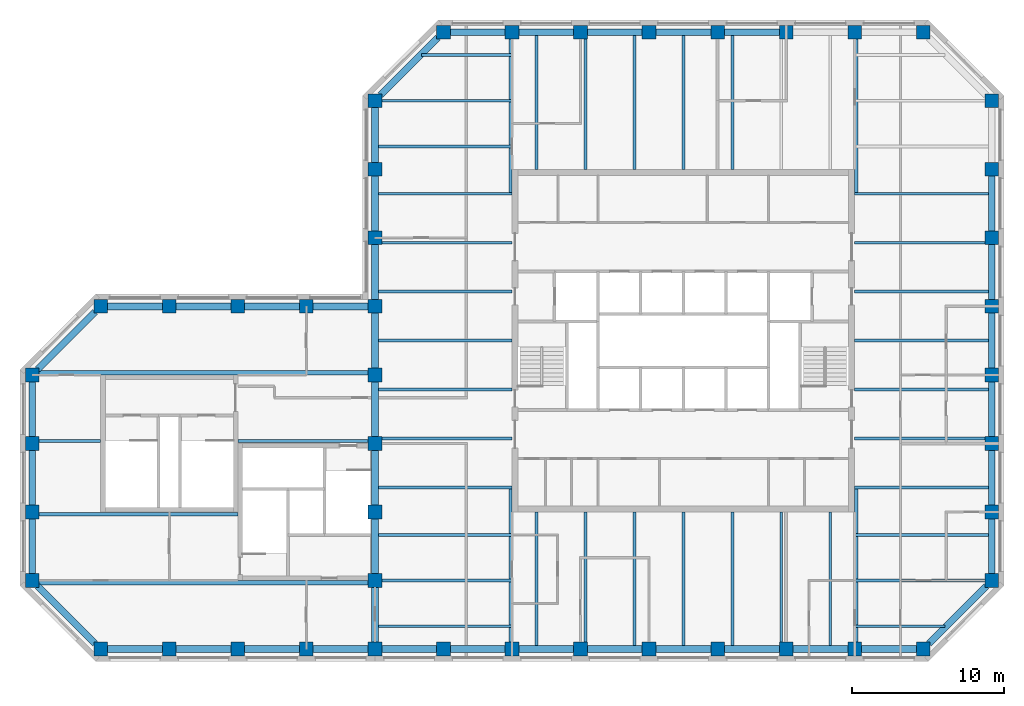
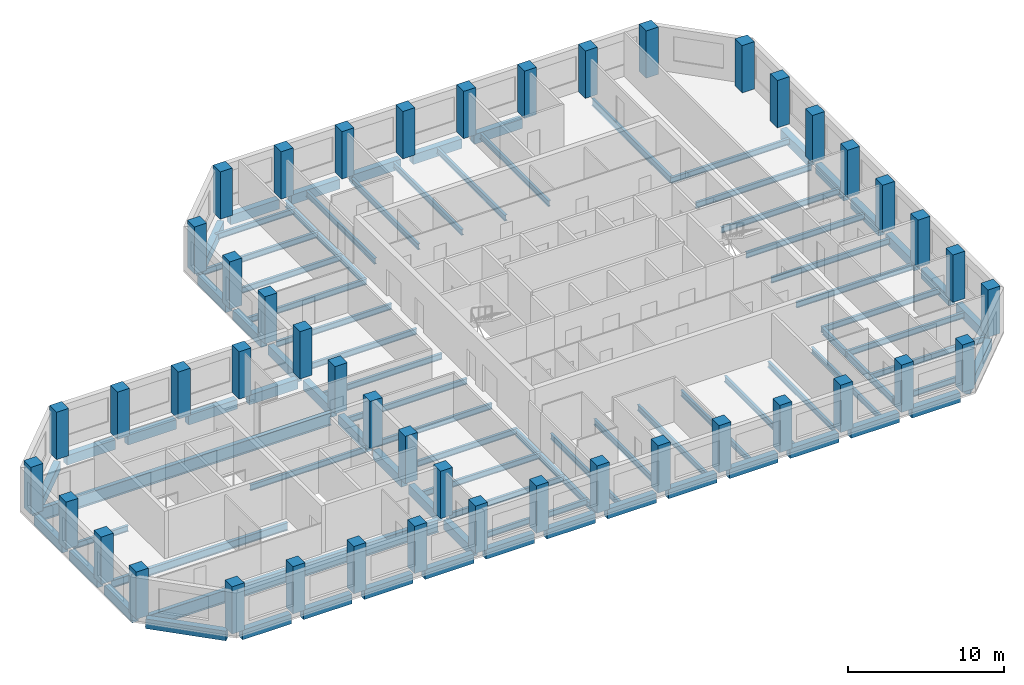
# One storey, part 1 of 9: 86 beams, 45 columns.
"""IFC4 building model written with IfcOpenShell, lengths in metres."""

from ifc_helpers import new_model, si_unit, direction, frame, origin, origin_2d, place, context, subcontext, project, spatial, rectangle, i_section, extrude, material, material_profile, profile_set, type_object, element, save


model = new_model("IFC4")

# Units and contexts
model_context = context("Model", 3, precision=1e-05, world=origin(), true_north=direction((0.0, 1.0)))
body_context = subcontext(model_context, "Body", "Model", "MODEL_VIEW")
ifc_project = project(units=[si_unit("LENGTHUNIT", "METRE"), si_unit("AREAUNIT", "SQUARE_METRE"), si_unit("VOLUMEUNIT", "CUBIC_METRE"), si_unit("PLANEANGLEUNIT", "RADIAN"), si_unit("MASSUNIT", "GRAM", prefix="KILO")], contexts=[model_context])

# Site, building, storey
site_placement = place(None, origin())
site = spatial("IfcSite", under=ifc_project, at=site_placement, CompositionType="ELEMENT")
building_placement = place(site_placement, origin())
building = spatial("IfcBuilding", under=site, at=building_placement, Name="Quoin Convention Tower", CompositionType="ELEMENT")
storey_placement = place(building_placement, frame((0.0, 0.0, 260.0)))
storey = spatial("IfcBuildingStorey", under=building, at=storey_placement, Name="L68", CompositionType="ELEMENT", Elevation=260.0)

# Columns
ifc_material_1 = material(Name="Concrete C50", Category="concrete")
ifc_material_profile_1 = material_profile(ifc_material_1, rectangle(XDim=0.89990234375, YDim=0.89990234375, at=origin_2d()), Name="RC 900x900")
ifc_profile_set_1 = profile_set([ifc_material_profile_1], Name="Concrete C50")
column_type = type_object("IfcColumnType", Name="RC 900x900 C50", PredefinedType="COLUMN", material=ifc_profile_set_1)
for number, where, z_axis, x_axis, name in (
    (1, (18.0, 40.5, 0.0), (0.0, 0.0, 1.0), (1.0, 0.0, 0.0), "col-L68-18000_40500"),
    (2, (22.5, 40.5, 0.0), (0.0, 0.0, 1.0), (1.0, 0.0, 0.0), "col-L68-22500_40500"),
    (3, (27.0, 40.5, 0.0), (0.0, 0.0, 1.0), (1.0, 0.0, 0.0), "col-L68-27000_40500"),
    (4, (31.5, 40.5, 0.0), (0.0, 0.0, 1.0), (1.0, 0.0, 0.0), "col-L68-31500_40500"),
    (5, (36.0, 40.5, 0.0), (0.0, 0.0, 1.0), (1.0, 0.0, 0.0), "col-L68-36000_40500"),
    (6, (40.5, 40.5, 0.0), (0.0, 0.0, 1.0), (1.0, 0.0, 0.0), "col-L68-40500_40500"),
    (7, (45.0, 40.5, 0.0), (0.0, 0.0, 1.0), (1.0, 0.0, 0.0), "col-L68-45000_40500"),
    (8, (49.5, 40.5, 0.0), (0.0, 0.0, 1.0), (1.0, 0.0, 0.0), "col-L68-49500_40500"),
    (9, (54.0, 40.5, 0.0), (0.0, 0.0, 1.0), (1.0, 0.0, 0.0), "col-L68-54000_40500"),
    (10, (58.5, 40.5, 0.0), (0.0, 0.0, 1.0), (1.0, 0.0, 0.0), "col-L68-58500_40500"),
    (11, (63.0, 40.5, 0.0), (0.0, 0.0, 1.0), (1.0, 0.0, 0.0), "col-L68-63000_40500"),
    (12, (67.5, 40.5, 0.0), (0.0, 0.0, 1.0), (1.0, 0.0, 0.0), "col-L68-67500_40500"),
    (13, (72.0, 40.5, 0.0), (0.0, 0.0, 1.0), (1.0, 0.0, 0.0), "col-L68-72000_40500"),
    (14, (13.5, 45.0, 0.0), (0.0, 0.0, 1.0), (1.0, 0.0, 0.0), "col-L68-13500_45000"),
    (15, (36.0, 45.0, 0.0), (0.0, 0.0, 1.0), (1.0, 0.0, 0.0), "web-L68-36000_45000"),
    (16, (76.5, 45.0, 0.0), (0.0, 0.0, 1.0), (1.0, 0.0, 0.0), "col-L68-76500_45000"),
    (17, (13.5, 49.5, 0.0), (0.0, 0.0, 1.0), (1.0, 0.0, 0.0), "col-L68-13500_49500"),
    (18, (36.0, 49.5, 0.0), (0.0, 0.0, 1.0), (1.0, 0.0, 0.0), "web-L68-36000_49500"),
    (19, (76.5, 49.5, 0.0), (0.0, 0.0, 1.0), (1.0, 0.0, 0.0), "col-L68-76500_49500"),
    (20, (13.5, 54.0, 0.0), (0.0, 0.0, 1.0), (1.0, 0.0, 0.0), "col-L68-13500_54000"),
    (21, (36.0, 54.0, 0.0), (0.0, 0.0, 1.0), (1.0, 0.0, 0.0), "web-L68-36000_54000"),
    (22, (76.5, 54.0, 0.0), (0.0, 0.0, 1.0), (1.0, 0.0, 0.0), "col-L68-76500_54000"),
    (23, (13.5, 58.5, 0.0), (0.0, 0.0, 1.0), (1.0, 0.0, 0.0), "col-L68-13500_58500"),
    (24, (36.0, 58.5, 0.0), (0.0, 0.0, 1.0), (1.0, 0.0, 0.0), "web-L68-36000_58500"),
    (25, (76.5, 58.5, 0.0), (0.0, 0.0, 1.0), (1.0, 0.0, 0.0), "col-L68-76500_58500"),
    (26, (18.0, 63.0, 0.0), (0.0, 0.0, 1.0), (1.0, 0.0, 0.0), "col-L68-18000_63000"),
    (27, (22.5, 63.0, 0.0), (0.0, 0.0, 1.0), (1.0, 0.0, 0.0), "col-L68-22500_63000"),
    (28, (27.0, 63.0, 0.0), (0.0, 0.0, 1.0), (1.0, 0.0, 0.0), "col-L68-27000_63000"),
    (29, (31.5, 63.0, 0.0), (0.0, 0.0, 1.0), (1.0, 0.0, 0.0), "col-L68-31500_63000"),
    (30, (36.0, 63.0, 0.0), (0.0, 0.0, 1.0), (1.0, 0.0, 0.0), "col-L68-36000_63000"),
    (31, (76.5, 63.0, 0.0), (0.0, 0.0, 1.0), (1.0, 0.0, 0.0), "col-L68-76500_63000"),
    (32, (36.0, 67.5, 0.0), (0.0, 0.0, 1.0), (1.0, 0.0, 0.0), "col-L68-36000_67500"),
    (33, (76.5, 67.5, 0.0), (0.0, 0.0, 1.0), (1.0, 0.0, 0.0), "col-L68-76500_67500"),
    (34, (36.0, 72.0, 0.0), (0.0, 0.0, 1.0), (1.0, 0.0, 0.0), "col-L68-36000_72000"),
    (35, (76.5, 72.0, 0.0), (0.0, 0.0, 1.0), (1.0, 0.0, 0.0), "col-L68-76500_72000"),
    (36, (36.0, 76.5, 0.0), (0.0, 0.0, 1.0), (1.0, 0.0, 0.0), "col-L68-36000_76500"),
    (37, (76.5, 76.5, 0.0), (0.0, 0.0, 1.0), (1.0, 0.0, 0.0), "col-L68-76500_76500"),
    (38, (40.5, 81.0, 0.0), (0.0, 0.0, 1.0), (1.0, 0.0, 0.0), "col-L68-40500_81000"),
    (39, (45.0, 81.0, 0.0), (0.0, 0.0, 1.0), (1.0, 0.0, 0.0), "col-L68-45000_81000"),
    (40, (49.5, 81.0, 0.0), (0.0, 0.0, 1.0), (1.0, 0.0, 0.0), "col-L68-49500_81000"),
    (41, (54.0, 81.0, 0.0), (0.0, 0.0, 1.0), (1.0, 0.0, 0.0), "col-L68-54000_81000"),
    (42, (58.5, 81.0, 0.0), (0.0, 0.0, 1.0), (1.0, 0.0, 0.0), "col-L68-58500_81000"),
    (43, (63.0, 81.0, 0.0), (0.0, 0.0, 1.0), (1.0, 0.0, 0.0), "col-L68-63000_81000"),
    (44, (67.5, 81.0, 0.0), (0.0, 0.0, 1.0), (1.0, 0.0, 0.0), "col-L68-67500_81000"),
    (45, (72.0, 81.0, 0.0), (0.0, 0.0, 1.0), (1.0, 0.0, 0.0), "col-L68-72000_81000"),
):
    element("IfcColumn", number, at=place(storey_placement, frame(where, z_axis=z_axis, x_axis=x_axis)), inside=storey, type_object=column_type, Name=name, PredefinedType="COLUMN", context=body_context, shape_type="SweptSolid", body=[
        extrude(rectangle(XDim=0.89990234375, YDim=0.89990234375, at=origin_2d()), origin(), (0.0, 0.0, 1.0), 3.699951171875),
    ])

# Beams
ifc_material_2 = material(Name="Steel Grade 300", Category="steel")
ifc_material_profile_2 = material_profile(ifc_material_2, i_section(OverallWidth=0.300048828125, OverallDepth=1.0, WebThickness=0.01611328125, FlangeThickness=0.02001953125, at=origin_2d()), Name="1000WB215")
ifc_profile_set_2 = profile_set([ifc_material_profile_2], Name="Steel Grade 300")
beam_type_1 = type_object("IfcBeamType", Name="1000WB215", PredefinedType="BEAM", material=ifc_profile_set_2)
for number, where, z_axis, x_axis, name in (
    (46, (13.949951171875, 44.85009765625, -0.64990234375), (1.0, 0.0, 0.0), (0.0, 1.0, 0.0), "gir-L68-ST2-1-0"),
    (47, (13.949951171875, 58.64990234375, -0.64990234375), (1.0, 0.0, 0.0), (0.0, 1.0, 0.0), "gir-L68-ST2-4-0"),
):
    element("IfcBeam", number, at=place(storey_placement, frame(where, z_axis=z_axis, x_axis=x_axis)), inside=storey, type_object=beam_type_1, Name=name, PredefinedType="BEAM", context=body_context, shape_type="SweptSolid", body=[
        extrude(i_section(OverallWidth=0.300048828125, OverallDepth=1.0, WebThickness=0.01611328125, FlangeThickness=0.02001953125, at=origin_2d()), origin(), (0.0, 0.0, 1.0), 21.60009765625),
    ])
ifc_material_profile_3 = material_profile(ifc_material_2, i_section(OverallWidth=0.18994140625, OverallDepth=0.4541015625, WebThickness=0.008544921875, FlangeThickness=0.0126953125, FilletRadius=0.011474609375, at=origin_2d()), Name="460UB67.1")
ifc_profile_set_3 = profile_set([ifc_material_profile_3], Name="Steel Grade 300")
beam_type_2 = type_object("IfcBeamType", Name="460UB67.1", PredefinedType="BEAM", material=ifc_profile_set_3)
beam_1_placement = place(storey_placement, frame((36.22509765625, 51.107177734375, -0.376953125), z_axis=(1.0, 0.0, 0.0), x_axis=(0.0, 1.0, 0.0)))
element("IfcBeam", 48, at=beam_1_placement, inside=storey, type_object=beam_type_2, Name="bm-L68-T1W0", PredefinedType="BEAM", context=body_context, shape_type="SweptSolid", body=[
    extrude(i_section(OverallWidth=0.18994140625, OverallDepth=0.4541015625, WebThickness=0.008544921875, FlangeThickness=0.0126953125, FilletRadius=0.011474609375, at=origin_2d()), origin(), (0.0, 0.0, 1.0), 8.77490234375),
])
beam_2_placement = place(storey_placement, frame((36.449951171875, 54.3212890625, -0.376953125), z_axis=(1.0, 0.0, 0.0), x_axis=(0.0, 1.0, 0.0)))
element("IfcBeam", 49, at=beam_2_placement, inside=storey, type_object=beam_type_2, Name="bm-L68-T1W1", PredefinedType="BEAM", context=body_context, shape_type="SweptSolid", body=[
    extrude(i_section(OverallWidth=0.18994140625, OverallDepth=0.4541015625, WebThickness=0.008544921875, FlangeThickness=0.0126953125, FilletRadius=0.011474609375, at=origin_2d()), origin(), (0.0, 0.0, 1.0), 8.550048828125),
])
for number, where, z_axis, x_axis, name in (
    (50, (36.22509765625, 57.53564453125, -0.376953125), (1.0, 0.0, 0.0), (0.0, 1.0, 0.0), "bm-L68-T1W2"),
    (51, (36.22509765625, 60.75, -0.376953125), (1.0, 0.0, 0.0), (0.0, 1.0, 0.0), "bm-L68-T1W3"),
    (52, (36.22509765625, 63.96435546875, -0.376953125), (1.0, 0.0, 0.0), (0.0, 1.0, 0.0), "bm-L68-T1W4"),
):
    element("IfcBeam", number, at=place(storey_placement, frame(where, z_axis=z_axis, x_axis=x_axis)), inside=storey, type_object=beam_type_2, Name=name, PredefinedType="BEAM", context=body_context, shape_type="SweptSolid", body=[
        extrude(i_section(OverallWidth=0.18994140625, OverallDepth=0.4541015625, WebThickness=0.008544921875, FlangeThickness=0.0126953125, FilletRadius=0.011474609375, at=origin_2d()), origin(), (0.0, 0.0, 1.0), 8.77490234375),
    ])
beam_3_placement = place(storey_placement, frame((36.449951171875, 67.1787109375, -0.376953125), z_axis=(1.0, 0.0, 0.0), x_axis=(0.0, 1.0, 0.0)))
element("IfcBeam", 53, at=beam_3_placement, inside=storey, type_object=beam_type_2, Name="bm-L68-T1W5", PredefinedType="BEAM", context=body_context, shape_type="SweptSolid", body=[
    extrude(i_section(OverallWidth=0.18994140625, OverallDepth=0.4541015625, WebThickness=0.008544921875, FlangeThickness=0.0126953125, FilletRadius=0.011474609375, at=origin_2d()), origin(), (0.0, 0.0, 1.0), 8.550048828125),
])
for number, where, z_axis, x_axis, name in (
    (54, (36.22509765625, 70.392822265625, -0.376953125), (1.0, 0.0, 0.0), (0.0, 1.0, 0.0), "bm-L68-T1W6"),
    (55, (67.5, 51.107177734375, -0.376953125), (1.0, 0.0, 0.0), (0.0, 1.0, 0.0), "bm-L68-T1E0"),
):
    element("IfcBeam", number, at=place(storey_placement, frame(where, z_axis=z_axis, x_axis=x_axis)), inside=storey, type_object=beam_type_2, Name=name, PredefinedType="BEAM", context=body_context, shape_type="SweptSolid", body=[
        extrude(i_section(OverallWidth=0.18994140625, OverallDepth=0.4541015625, WebThickness=0.008544921875, FlangeThickness=0.0126953125, FilletRadius=0.011474609375, at=origin_2d()), origin(), (0.0, 0.0, 1.0), 8.77490234375),
    ])
beam_4_placement = place(storey_placement, frame((67.5, 54.3212890625, -0.376953125), z_axis=(1.0, 0.0, 0.0), x_axis=(0.0, 1.0, 0.0)))
element("IfcBeam", 56, at=beam_4_placement, inside=storey, type_object=beam_type_2, Name="bm-L68-T1E1", PredefinedType="BEAM", context=body_context, shape_type="SweptSolid", body=[
    extrude(i_section(OverallWidth=0.18994140625, OverallDepth=0.4541015625, WebThickness=0.008544921875, FlangeThickness=0.0126953125, FilletRadius=0.011474609375, at=origin_2d()), origin(), (0.0, 0.0, 1.0), 8.550048828125),
])
for number, where, z_axis, x_axis, name in (
    (57, (67.5, 57.53564453125, -0.376953125), (1.0, 0.0, 0.0), (0.0, 1.0, 0.0), "bm-L68-T1E2"),
    (58, (67.5, 60.75, -0.376953125), (1.0, 0.0, 0.0), (0.0, 1.0, 0.0), "bm-L68-T1E3"),
    (59, (67.5, 63.96435546875, -0.376953125), (1.0, 0.0, 0.0), (0.0, 1.0, 0.0), "bm-L68-T1E4"),
):
    element("IfcBeam", number, at=place(storey_placement, frame(where, z_axis=z_axis, x_axis=x_axis)), inside=storey, type_object=beam_type_2, Name=name, PredefinedType="BEAM", context=body_context, shape_type="SweptSolid", body=[
        extrude(i_section(OverallWidth=0.18994140625, OverallDepth=0.4541015625, WebThickness=0.008544921875, FlangeThickness=0.0126953125, FilletRadius=0.011474609375, at=origin_2d()), origin(), (0.0, 0.0, 1.0), 8.77490234375),
    ])
beam_5_placement = place(storey_placement, frame((67.5, 67.1787109375, -0.376953125), z_axis=(1.0, 0.0, 0.0), x_axis=(0.0, 1.0, 0.0)))
element("IfcBeam", 60, at=beam_5_placement, inside=storey, type_object=beam_type_2, Name="bm-L68-T1E5", PredefinedType="BEAM", context=body_context, shape_type="SweptSolid", body=[
    extrude(i_section(OverallWidth=0.18994140625, OverallDepth=0.4541015625, WebThickness=0.008544921875, FlangeThickness=0.0126953125, FilletRadius=0.011474609375, at=origin_2d()), origin(), (0.0, 0.0, 1.0), 8.550048828125),
])
for number, where, z_axis, x_axis, name in (
    (61, (67.5, 70.392822265625, -0.376953125), (1.0, 0.0, 0.0), (0.0, 1.0, 0.0), "bm-L68-T1E6"),
    (62, (46.607177734375, 40.72509765625, -0.376953125), (0.0, 1.0, 0.0), (-1.0, 0.0, 0.0), "bm-L68-T1S0"),
):
    element("IfcBeam", number, at=place(storey_placement, frame(where, z_axis=z_axis, x_axis=x_axis)), inside=storey, type_object=beam_type_2, Name=name, PredefinedType="BEAM", context=body_context, shape_type="SweptSolid", body=[
        extrude(i_section(OverallWidth=0.18994140625, OverallDepth=0.4541015625, WebThickness=0.008544921875, FlangeThickness=0.0126953125, FilletRadius=0.011474609375, at=origin_2d()), origin(), (0.0, 0.0, 1.0), 8.77490234375),
    ])
beam_6_placement = place(storey_placement, frame((49.8212890625, 40.949951171875, -0.376953125), z_axis=(0.0, 1.0, 0.0), x_axis=(-1.0, 0.0, 0.0)))
element("IfcBeam", 63, at=beam_6_placement, inside=storey, type_object=beam_type_2, Name="bm-L68-T1S1", PredefinedType="BEAM", context=body_context, shape_type="SweptSolid", body=[
    extrude(i_section(OverallWidth=0.18994140625, OverallDepth=0.4541015625, WebThickness=0.008544921875, FlangeThickness=0.0126953125, FilletRadius=0.011474609375, at=origin_2d()), origin(), (0.0, 0.0, 1.0), 8.550048828125),
])
for number, where, z_axis, x_axis, name in (
    (64, (53.03564453125, 40.72509765625, -0.376953125), (0.0, 1.0, 0.0), (-1.0, 0.0, 0.0), "bm-L68-T1S2"),
    (65, (56.25, 40.72509765625, -0.376953125), (0.0, 1.0, 0.0), (-1.0, 0.0, 0.0), "bm-L68-T1S3"),
    (66, (59.46435546875, 40.72509765625, -0.376953125), (0.0, 1.0, 0.0), (-1.0, 0.0, 0.0), "bm-L68-T1S4"),
):
    element("IfcBeam", number, at=place(storey_placement, frame(where, z_axis=z_axis, x_axis=x_axis)), inside=storey, type_object=beam_type_2, Name=name, PredefinedType="BEAM", context=body_context, shape_type="SweptSolid", body=[
        extrude(i_section(OverallWidth=0.18994140625, OverallDepth=0.4541015625, WebThickness=0.008544921875, FlangeThickness=0.0126953125, FilletRadius=0.011474609375, at=origin_2d()), origin(), (0.0, 0.0, 1.0), 8.77490234375),
    ])
beam_7_placement = place(storey_placement, frame((62.6787109375, 40.949951171875, -0.376953125), z_axis=(0.0, 1.0, 0.0), x_axis=(-1.0, 0.0, 0.0)))
element("IfcBeam", 67, at=beam_7_placement, inside=storey, type_object=beam_type_2, Name="bm-L68-T1S5", PredefinedType="BEAM", context=body_context, shape_type="SweptSolid", body=[
    extrude(i_section(OverallWidth=0.18994140625, OverallDepth=0.4541015625, WebThickness=0.008544921875, FlangeThickness=0.0126953125, FilletRadius=0.011474609375, at=origin_2d()), origin(), (0.0, 0.0, 1.0), 8.550048828125),
])
for number, where, z_axis, x_axis, name in (
    (68, (65.892822265625, 40.72509765625, -0.376953125), (0.0, 1.0, 0.0), (-1.0, 0.0, 0.0), "bm-L68-T1S6"),
    (69, (46.607177734375, 72.0, -0.376953125), (0.0, 1.0, 0.0), (-1.0, 0.0, 0.0), "bm-L68-T1N0"),
):
    element("IfcBeam", number, at=place(storey_placement, frame(where, z_axis=z_axis, x_axis=x_axis)), inside=storey, type_object=beam_type_2, Name=name, PredefinedType="BEAM", context=body_context, shape_type="SweptSolid", body=[
        extrude(i_section(OverallWidth=0.18994140625, OverallDepth=0.4541015625, WebThickness=0.008544921875, FlangeThickness=0.0126953125, FilletRadius=0.011474609375, at=origin_2d()), origin(), (0.0, 0.0, 1.0), 8.77490234375),
    ])
beam_8_placement = place(storey_placement, frame((49.8212890625, 72.0, -0.376953125), z_axis=(0.0, 1.0, 0.0), x_axis=(-1.0, 0.0, 0.0)))
element("IfcBeam", 70, at=beam_8_placement, inside=storey, type_object=beam_type_2, Name="bm-L68-T1N1", PredefinedType="BEAM", context=body_context, shape_type="SweptSolid", body=[
    extrude(i_section(OverallWidth=0.18994140625, OverallDepth=0.4541015625, WebThickness=0.008544921875, FlangeThickness=0.0126953125, FilletRadius=0.011474609375, at=origin_2d()), origin(), (0.0, 0.0, 1.0), 8.550048828125),
])
for number, where, z_axis, x_axis, name in (
    (71, (53.03564453125, 72.0, -0.376953125), (0.0, 1.0, 0.0), (-1.0, 0.0, 0.0), "bm-L68-T1N2"),
    (72, (56.25, 72.0, -0.376953125), (0.0, 1.0, 0.0), (-1.0, 0.0, 0.0), "bm-L68-T1N3"),
    (73, (59.46435546875, 72.0, -0.376953125), (0.0, 1.0, 0.0), (-1.0, 0.0, 0.0), "bm-L68-T1N4"),
    (74, (36.22509765625, 42.0, -0.376953125), (1.0, 0.0, 0.0), (0.0, 1.0, 0.0), "bm-L68-T1SW0"),
):
    element("IfcBeam", number, at=place(storey_placement, frame(where, z_axis=z_axis, x_axis=x_axis)), inside=storey, type_object=beam_type_2, Name=name, PredefinedType="BEAM", context=body_context, shape_type="SweptSolid", body=[
        extrude(i_section(OverallWidth=0.18994140625, OverallDepth=0.4541015625, WebThickness=0.008544921875, FlangeThickness=0.0126953125, FilletRadius=0.011474609375, at=origin_2d()), origin(), (0.0, 0.0, 1.0), 8.77490234375),
    ])
beam_9_placement = place(storey_placement, frame((36.449951171875, 45.0, -0.376953125), z_axis=(1.0, 0.0, 0.0), x_axis=(0.0, 1.0, 0.0)))
element("IfcBeam", 75, at=beam_9_placement, inside=storey, type_object=beam_type_2, Name="bm-L68-T1SW1", PredefinedType="BEAM", context=body_context, shape_type="SweptSolid", body=[
    extrude(i_section(OverallWidth=0.18994140625, OverallDepth=0.4541015625, WebThickness=0.008544921875, FlangeThickness=0.0126953125, FilletRadius=0.011474609375, at=origin_2d()), origin(), (0.0, 0.0, 1.0), 8.550048828125),
])
beam_10_placement = place(storey_placement, frame((36.22509765625, 48.0, -0.376953125), z_axis=(1.0, 0.0, 0.0), x_axis=(0.0, 1.0, 0.0)))
element("IfcBeam", 76, at=beam_10_placement, inside=storey, type_object=beam_type_2, Name="bm-L68-T1SW2", PredefinedType="BEAM", context=body_context, shape_type="SweptSolid", body=[
    extrude(i_section(OverallWidth=0.18994140625, OverallDepth=0.4541015625, WebThickness=0.008544921875, FlangeThickness=0.0126953125, FilletRadius=0.011474609375, at=origin_2d()), origin(), (0.0, 0.0, 1.0), 8.77490234375),
])
beam_11_placement = place(storey_placement, frame((67.5, 42.0, -0.376953125), z_axis=(1.0, 0.0, 0.0), x_axis=(0.0, 1.0, 0.0)))
element("IfcBeam", 77, at=beam_11_placement, inside=storey, type_object=beam_type_2, Name="bm-L68-T1SE0", PredefinedType="BEAM", context=body_context, shape_type="SweptSolid", body=[
    extrude(i_section(OverallWidth=0.18994140625, OverallDepth=0.4541015625, WebThickness=0.008544921875, FlangeThickness=0.0126953125, FilletRadius=0.011474609375, at=origin_2d()), origin(), (0.0, 0.0, 1.0), 5.935791015625),
])
beam_12_placement = place(storey_placement, frame((67.5, 45.0, -0.376953125), z_axis=(1.0, 0.0, 0.0), x_axis=(0.0, 1.0, 0.0)))
element("IfcBeam", 78, at=beam_12_placement, inside=storey, type_object=beam_type_2, Name="bm-L68-T1SE1", PredefinedType="BEAM", context=body_context, shape_type="SweptSolid", body=[
    extrude(i_section(OverallWidth=0.18994140625, OverallDepth=0.4541015625, WebThickness=0.008544921875, FlangeThickness=0.0126953125, FilletRadius=0.011474609375, at=origin_2d()), origin(), (0.0, 0.0, 1.0), 8.550048828125),
])
beam_13_placement = place(storey_placement, frame((67.5, 48.0, -0.376953125), z_axis=(1.0, 0.0, 0.0), x_axis=(0.0, 1.0, 0.0)))
element("IfcBeam", 79, at=beam_13_placement, inside=storey, type_object=beam_type_2, Name="bm-L68-T1SE2", PredefinedType="BEAM", context=body_context, shape_type="SweptSolid", body=[
    extrude(i_section(OverallWidth=0.18994140625, OverallDepth=0.4541015625, WebThickness=0.008544921875, FlangeThickness=0.0126953125, FilletRadius=0.011474609375, at=origin_2d()), origin(), (0.0, 0.0, 1.0), 8.77490234375),
])
beam_14_placement = place(storey_placement, frame((39.064208984375, 79.5, -0.376953125), z_axis=(1.0, 0.0, 0.0), x_axis=(0.0, 1.0, 0.0)))
element("IfcBeam", 80, at=beam_14_placement, inside=storey, type_object=beam_type_2, Name="bm-L68-T1NW0", PredefinedType="BEAM", context=body_context, shape_type="SweptSolid", body=[
    extrude(i_section(OverallWidth=0.18994140625, OverallDepth=0.4541015625, WebThickness=0.008544921875, FlangeThickness=0.0126953125, FilletRadius=0.011474609375, at=origin_2d()), origin(), (0.0, 0.0, 1.0), 5.935791015625),
])
beam_15_placement = place(storey_placement, frame((36.449951171875, 76.5, -0.376953125), z_axis=(1.0, 0.0, 0.0), x_axis=(0.0, 1.0, 0.0)))
element("IfcBeam", 81, at=beam_15_placement, inside=storey, type_object=beam_type_2, Name="bm-L68-T1NW1", PredefinedType="BEAM", context=body_context, shape_type="SweptSolid", body=[
    extrude(i_section(OverallWidth=0.18994140625, OverallDepth=0.4541015625, WebThickness=0.008544921875, FlangeThickness=0.0126953125, FilletRadius=0.011474609375, at=origin_2d()), origin(), (0.0, 0.0, 1.0), 8.550048828125),
])
beam_16_placement = place(storey_placement, frame((36.22509765625, 73.5, -0.376953125), z_axis=(1.0, 0.0, 0.0), x_axis=(0.0, 1.0, 0.0)))
element("IfcBeam", 82, at=beam_16_placement, inside=storey, type_object=beam_type_2, Name="bm-L68-T1NW2", PredefinedType="BEAM", context=body_context, shape_type="SweptSolid", body=[
    extrude(i_section(OverallWidth=0.18994140625, OverallDepth=0.4541015625, WebThickness=0.008544921875, FlangeThickness=0.0126953125, FilletRadius=0.011474609375, at=origin_2d()), origin(), (0.0, 0.0, 1.0), 8.77490234375),
])
beam_17_placement = place(storey_placement, frame((13.949951171875, 54.14990234375, -0.376953125), z_axis=(1.0, 0.0, 0.0), x_axis=(0.0, 1.0, 0.0)))
element("IfcBeam", 83, at=beam_17_placement, inside=storey, type_object=beam_type_2, Name="gir-L68-ST2-3-0", PredefinedType="BEAM", context=body_context, shape_type="SweptSolid", body=[
    extrude(i_section(OverallWidth=0.18994140625, OverallDepth=0.4541015625, WebThickness=0.008544921875, FlangeThickness=0.0126953125, FilletRadius=0.011474609375, at=origin_2d()), origin(), (0.0, 0.0, 1.0), 4.050048828125),
])
beam_18_placement = place(storey_placement, frame((27.0, 54.14990234375, -0.376953125), z_axis=(1.0, 0.0, 0.0), x_axis=(0.0, 1.0, 0.0)))
element("IfcBeam", 84, at=beam_18_placement, inside=storey, type_object=beam_type_2, Name="gir-L68-ST2-3-1", PredefinedType="BEAM", context=body_context, shape_type="SweptSolid", body=[
    extrude(i_section(OverallWidth=0.18994140625, OverallDepth=0.4541015625, WebThickness=0.008544921875, FlangeThickness=0.0126953125, FilletRadius=0.011474609375, at=origin_2d()), origin(), (0.0, 0.0, 1.0), 8.550048828125),
])
ifc_material_profile_4 = material_profile(ifc_material_2, i_section(OverallWidth=0.208984375, OverallDepth=0.528076171875, WebThickness=0.009521484375, FlangeThickness=0.01318359375, FilletRadius=0.013916015625, at=origin_2d()), Name="530UB82.0")
ifc_profile_set_4 = profile_set([ifc_material_profile_4], Name="Steel Grade 300")
beam_type_3 = type_object("IfcBeamType", Name="530UB82.0", PredefinedType="BEAM", material=ifc_profile_set_4)
for number, where, z_axis, x_axis, name in (
    (85, (44.904541015625, 40.949951171875, -0.4140625), (0.0, 1.0, 0.0), (-1.0, 0.0, 0.0), "gir-L68-T1SW"),
    (86, (67.595458984375, 40.949951171875, -0.4140625), (0.0, 1.0, 0.0), (-1.0, 0.0, 0.0), "gir-L68-T1SE"),
    (87, (44.904541015625, 80.550048828125, -0.4140625), (0.0, -1.0, 0.0), (1.0, 0.0, 0.0), "gir-L68-T1NW"),
    (88, (67.595458984375, 80.550048828125, -0.4140625), (0.0, -1.0, 0.0), (1.0, 0.0, 0.0), "gir-L68-T1NE"),
):
    element("IfcBeam", number, at=place(storey_placement, frame(where, z_axis=z_axis, x_axis=x_axis)), inside=storey, type_object=beam_type_3, Name=name, PredefinedType="BEAM", context=body_context, shape_type="SweptSolid", body=[
        extrude(i_section(OverallWidth=0.208984375, OverallDepth=0.528076171875, WebThickness=0.009521484375, FlangeThickness=0.01318359375, FilletRadius=0.013916015625, at=origin_2d()), origin(), (0.0, 0.0, 1.0), 10.062255859375),
    ])
ifc_material_profile_5 = material_profile(ifc_material_2, i_section(OverallWidth=0.22802734375, OverallDepth=0.60205078125, WebThickness=0.010498046875, FlangeThickness=0.014892578125, FilletRadius=0.013916015625, at=origin_2d()), Name="610UB101")
ifc_profile_set_5 = profile_set([ifc_material_profile_5], Name="Steel Grade 300")
beam_type_4 = type_object("IfcBeamType", Name="610UB101", PredefinedType="BEAM", material=ifc_profile_set_5)
beam_19_placement = place(storey_placement, frame((13.949951171875, 49.35009765625, -0.450927734375), z_axis=(1.0, 0.0, 0.0), x_axis=(0.0, 1.0, 0.0)))
element("IfcBeam", 89, at=beam_19_placement, inside=storey, type_object=beam_type_4, Name="gir-L68-ST2-2-0", PredefinedType="BEAM", context=body_context, shape_type="SweptSolid", body=[
    extrude(i_section(OverallWidth=0.22802734375, OverallDepth=0.60205078125, WebThickness=0.010498046875, FlangeThickness=0.014892578125, FilletRadius=0.013916015625, at=origin_2d()), origin(), (0.0, 0.0, 1.0), 13.050048828125),
])
ifc_material_profile_6 = material_profile(ifc_material_1, rectangle(XDim=0.449951171875, YDim=0.75, at=origin_2d()), Name="RC 450x750")
ifc_profile_set_6 = profile_set([ifc_material_profile_6], Name="Concrete C50")
beam_type_5 = type_object("IfcBeamType", Name="RC 450x750 C50", PredefinedType="SPANDREL", material=ifc_profile_set_6)
for number, where, z_axis, x_axis, name in (
    (90, (36.449951171875, 40.5, -0.52490234375), (1.0, 0.0, 0.0), (0.0, 1.0, 0.0), "spd-L68-36000_40500-40500_40500"),
    (91, (40.949951171875, 40.5, -0.52490234375), (1.0, 0.0, 0.0), (0.0, 1.0, 0.0), "spd-L68-40500_40500-45000_40500"),
    (92, (45.449951171875, 40.5, -0.52490234375), (1.0, 0.0, 0.0), (0.0, 1.0, 0.0), "spd-L68-45000_40500-49500_40500"),
    (93, (49.949951171875, 40.5, -0.52490234375), (1.0, 0.0, 0.0), (0.0, 1.0, 0.0), "spd-L68-49500_40500-54000_40500"),
    (94, (54.449951171875, 40.5, -0.52490234375), (1.0, 0.0, 0.0), (0.0, 1.0, 0.0), "spd-L68-54000_40500-58500_40500"),
    (95, (58.949951171875, 40.5, -0.52490234375), (1.0, 0.0, 0.0), (0.0, 1.0, 0.0), "spd-L68-58500_40500-63000_40500"),
    (96, (63.449951171875, 40.5, -0.52490234375), (1.0, 0.0, 0.0), (0.0, 1.0, 0.0), "spd-L68-63000_40500-67500_40500"),
    (97, (67.949951171875, 40.5, -0.52490234375), (1.0, 0.0, 0.0), (0.0, 1.0, 0.0), "spd-L68-67500_40500-72000_40500"),
):
    element("IfcBeam", number, at=place(storey_placement, frame(where, z_axis=z_axis, x_axis=x_axis)), inside=storey, type_object=beam_type_5, Name=name, PredefinedType="SPANDREL", context=body_context, shape_type="SweptSolid", body=[
        extrude(rectangle(XDim=0.449951171875, YDim=0.75, at=origin_2d()), origin(), (0.0, 0.0, 1.0), 3.60009765625),
    ])
beam_20_placement = place(storey_placement, frame((72.364990234375, 40.864990234375, -0.52490234375), z_axis=(0.707106781187, 0.707106781187, 0.0), x_axis=(-0.707106781187, 0.707106781187, 0.0)))
element("IfcBeam", 98, at=beam_20_placement, inside=storey, type_object=beam_type_5, Name="spd-L68-72000_40500-76500_45000", PredefinedType="SPANDREL", context=body_context, shape_type="SweptSolid", body=[
    extrude(rectangle(XDim=0.449951171875, YDim=0.75, at=origin_2d()), origin(), (0.0, 0.0, 1.0), 5.33154296875),
])
for number, where, z_axis, x_axis, name in (
    (99, (76.5, 45.449951171875, -0.52490234375), (0.0, 1.0, 0.0), (-1.0, 0.0, 0.0), "spd-L68-76500_45000-76500_49500"),
    (100, (76.5, 49.949951171875, -0.52490234375), (0.0, 1.0, 0.0), (-1.0, 0.0, 0.0), "spd-L68-76500_49500-76500_54000"),
    (101, (76.5, 54.449951171875, -0.52490234375), (0.0, 1.0, 0.0), (-1.0, 0.0, 0.0), "spd-L68-76500_54000-76500_58500"),
    (102, (76.5, 58.949951171875, -0.52490234375), (0.0, 1.0, 0.0), (-1.0, 0.0, 0.0), "spd-L68-76500_58500-76500_63000"),
    (103, (76.5, 63.449951171875, -0.52490234375), (0.0, 1.0, 0.0), (-1.0, 0.0, 0.0), "spd-L68-76500_63000-76500_67500"),
    (104, (76.5, 67.949951171875, -0.52490234375), (0.0, 1.0, 0.0), (-1.0, 0.0, 0.0), "spd-L68-76500_67500-76500_72000"),
    (105, (62.550048828125, 81.0, -0.52490234375), (-1.0, 0.0, 0.0), (0.0, -1.0, 0.0), "spd-L68-63000_81000-58500_81000"),
    (106, (58.050048828125, 81.0, -0.52490234375), (-1.0, 0.0, 0.0), (0.0, -1.0, 0.0), "spd-L68-58500_81000-54000_81000"),
    (107, (53.550048828125, 81.0, -0.52490234375), (-1.0, 0.0, 0.0), (0.0, -1.0, 0.0), "spd-L68-54000_81000-49500_81000"),
    (108, (49.050048828125, 81.0, -0.52490234375), (-1.0, 0.0, 0.0), (0.0, -1.0, 0.0), "spd-L68-49500_81000-45000_81000"),
    (109, (44.550048828125, 81.0, -0.52490234375), (-1.0, 0.0, 0.0), (0.0, -1.0, 0.0), "spd-L68-45000_81000-40500_81000"),
):
    element("IfcBeam", number, at=place(storey_placement, frame(where, z_axis=z_axis, x_axis=x_axis)), inside=storey, type_object=beam_type_5, Name=name, PredefinedType="SPANDREL", context=body_context, shape_type="SweptSolid", body=[
        extrude(rectangle(XDim=0.449951171875, YDim=0.75, at=origin_2d()), origin(), (0.0, 0.0, 1.0), 3.60009765625),
    ])
beam_21_placement = place(storey_placement, frame((40.135009765625, 80.635009765625, -0.52490234375), z_axis=(-0.707106781187, -0.707106781187, 0.0), x_axis=(0.707106781187, -0.707106781187, 0.0)))
element("IfcBeam", 110, at=beam_21_placement, inside=storey, type_object=beam_type_5, Name="spd-L68-40500_81000-36000_76500", PredefinedType="SPANDREL", context=body_context, shape_type="SweptSolid", body=[
    extrude(rectangle(XDim=0.449951171875, YDim=0.75, at=origin_2d()), origin(), (0.0, 0.0, 1.0), 5.33154296875),
])
for number, where, z_axis, x_axis, name in (
    (111, (36.0, 76.050048828125, -0.52490234375), (0.0, -1.0, 0.0), (1.0, 0.0, 0.0), "spd-L68-36000_76500-36000_72000"),
    (112, (36.0, 71.550048828125, -0.52490234375), (0.0, -1.0, 0.0), (1.0, 0.0, 0.0), "spd-L68-36000_72000-36000_67500"),
    (113, (36.0, 67.050048828125, -0.52490234375), (0.0, -1.0, 0.0), (1.0, 0.0, 0.0), "spd-L68-36000_67500-36000_63000"),
    (114, (35.550048828125, 63.0, -0.52490234375), (-1.0, 0.0, 0.0), (0.0, -1.0, 0.0), "spd-L68-36000_63000-31500_63000"),
    (115, (31.050048828125, 63.0, -0.52490234375), (-1.0, 0.0, 0.0), (0.0, -1.0, 0.0), "spd-L68-31500_63000-27000_63000"),
    (116, (26.550048828125, 63.0, -0.52490234375), (-1.0, 0.0, 0.0), (0.0, -1.0, 0.0), "spd-L68-27000_63000-22500_63000"),
    (117, (22.050048828125, 63.0, -0.52490234375), (-1.0, 0.0, 0.0), (0.0, -1.0, 0.0), "spd-L68-22500_63000-18000_63000"),
):
    element("IfcBeam", number, at=place(storey_placement, frame(where, z_axis=z_axis, x_axis=x_axis)), inside=storey, type_object=beam_type_5, Name=name, PredefinedType="SPANDREL", context=body_context, shape_type="SweptSolid", body=[
        extrude(rectangle(XDim=0.449951171875, YDim=0.75, at=origin_2d()), origin(), (0.0, 0.0, 1.0), 3.60009765625),
    ])
beam_22_placement = place(storey_placement, frame((17.635009765625, 62.635009765625, -0.52490234375), z_axis=(-0.707106781187, -0.707106781187, 0.0), x_axis=(0.707106781187, -0.707106781187, 0.0)))
element("IfcBeam", 118, at=beam_22_placement, inside=storey, type_object=beam_type_5, Name="spd-L68-18000_63000-13500_58500", PredefinedType="SPANDREL", context=body_context, shape_type="SweptSolid", body=[
    extrude(rectangle(XDim=0.449951171875, YDim=0.75, at=origin_2d()), origin(), (0.0, 0.0, 1.0), 5.33154296875),
])
for number, where, z_axis, x_axis, name in (
    (119, (13.5, 58.050048828125, -0.52490234375), (0.0, -1.0, 0.0), (1.0, 0.0, 0.0), "spd-L68-13500_58500-13500_54000"),
    (120, (13.5, 53.550048828125, -0.52490234375), (0.0, -1.0, 0.0), (1.0, 0.0, 0.0), "spd-L68-13500_54000-13500_49500"),
    (121, (13.5, 49.050048828125, -0.52490234375), (0.0, -1.0, 0.0), (1.0, 0.0, 0.0), "spd-L68-13500_49500-13500_45000"),
):
    element("IfcBeam", number, at=place(storey_placement, frame(where, z_axis=z_axis, x_axis=x_axis)), inside=storey, type_object=beam_type_5, Name=name, PredefinedType="SPANDREL", context=body_context, shape_type="SweptSolid", body=[
        extrude(rectangle(XDim=0.449951171875, YDim=0.75, at=origin_2d()), origin(), (0.0, 0.0, 1.0), 3.60009765625),
    ])
beam_23_placement = place(storey_placement, frame((13.864990234375, 44.635009765625, -0.52490234375), z_axis=(0.707106781187, -0.707106781187, 0.0), x_axis=(0.707106781187, 0.707106781187, 0.0)))
element("IfcBeam", 122, at=beam_23_placement, inside=storey, type_object=beam_type_5, Name="spd-L68-13500_45000-18000_40500", PredefinedType="SPANDREL", context=body_context, shape_type="SweptSolid", body=[
    extrude(rectangle(XDim=0.449951171875, YDim=0.75, at=origin_2d()), origin(), (0.0, 0.0, 1.0), 5.33154296875),
])
for number, where, z_axis, x_axis, name in (
    (123, (18.449951171875, 40.5, -0.52490234375), (1.0, 0.0, 0.0), (0.0, 1.0, 0.0), "spd-L68-18000_40500-22500_40500"),
    (124, (22.949951171875, 40.5, -0.52490234375), (1.0, 0.0, 0.0), (0.0, 1.0, 0.0), "spd-L68-22500_40500-27000_40500"),
    (125, (27.449951171875, 40.5, -0.52490234375), (1.0, 0.0, 0.0), (0.0, 1.0, 0.0), "spd-L68-27000_40500-31500_40500"),
    (126, (31.949951171875, 40.5, -0.52490234375), (1.0, 0.0, 0.0), (0.0, 1.0, 0.0), "spd-L68-31500_40500-36000_40500"),
    (127, (36.0, 40.949951171875, -0.52490234375), (0.0, 1.0, 0.0), (-1.0, 0.0, 0.0), "spd-L68-36000_40500-36000_45000"),
    (128, (36.0, 45.449951171875, -0.52490234375), (0.0, 1.0, 0.0), (-1.0, 0.0, 0.0), "spd-L68-36000_45000-36000_49500"),
    (129, (36.0, 49.949951171875, -0.52490234375), (0.0, 1.0, 0.0), (-1.0, 0.0, 0.0), "spd-L68-36000_49500-36000_54000"),
    (130, (36.0, 54.449951171875, -0.52490234375), (0.0, 1.0, 0.0), (-1.0, 0.0, 0.0), "spd-L68-36000_54000-36000_58500"),
    (131, (36.0, 58.949951171875, -0.52490234375), (0.0, 1.0, 0.0), (-1.0, 0.0, 0.0), "spd-L68-36000_58500-36000_63000"),
):
    element("IfcBeam", number, at=place(storey_placement, frame(where, z_axis=z_axis, x_axis=x_axis)), inside=storey, type_object=beam_type_5, Name=name, PredefinedType="SPANDREL", context=body_context, shape_type="SweptSolid", body=[
        extrude(rectangle(XDim=0.449951171875, YDim=0.75, at=origin_2d()), origin(), (0.0, 0.0, 1.0), 3.60009765625),
    ])

save(model, "model.ifc")
